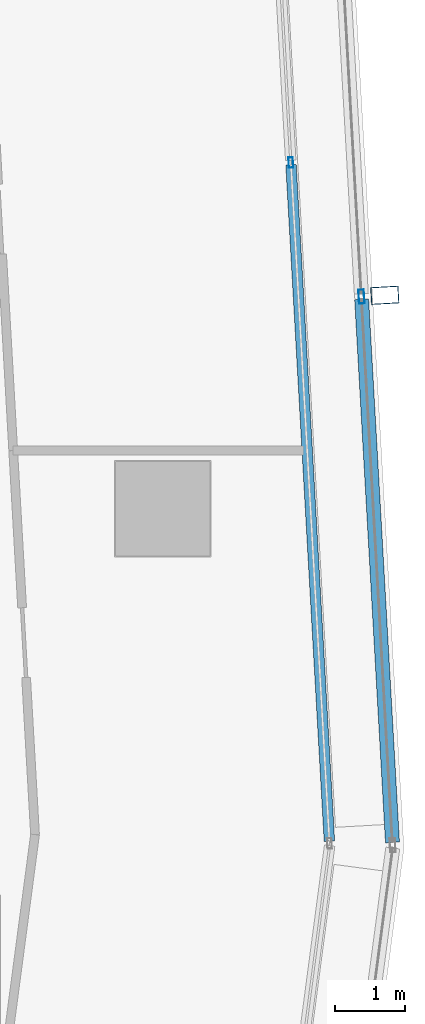
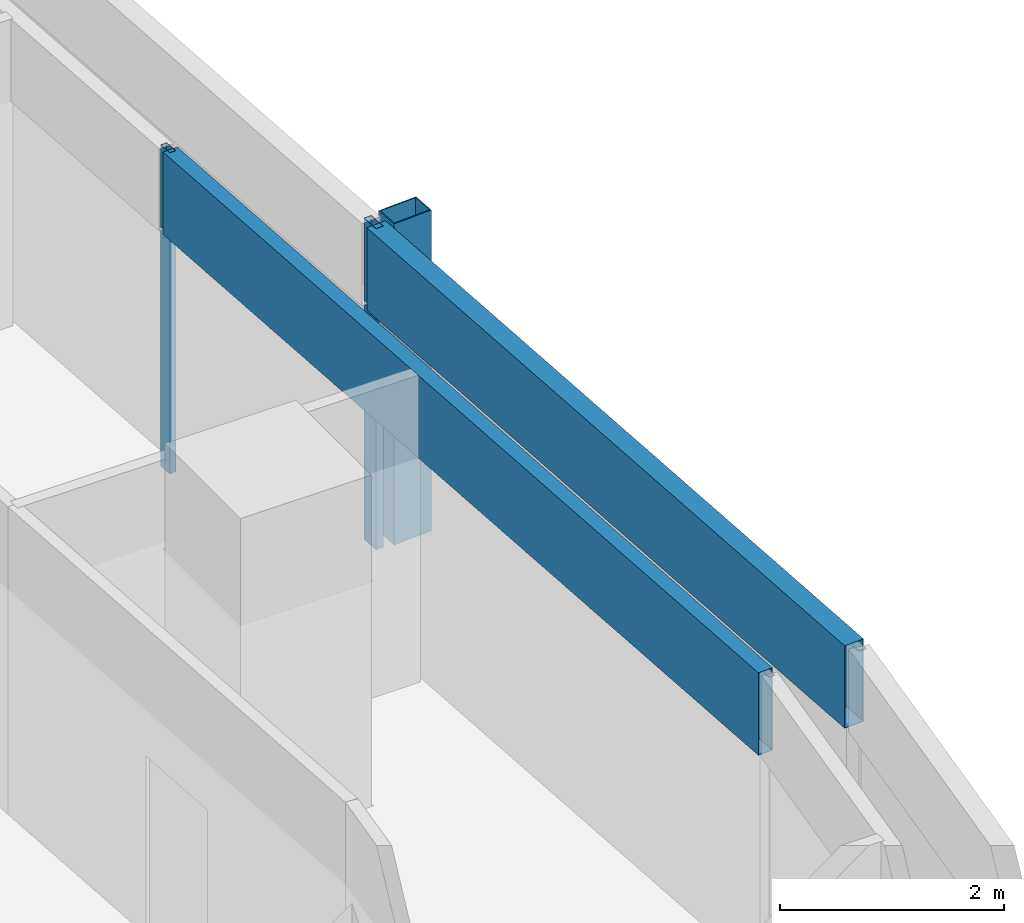
# One storey, part 14 of 38: 5 members, 2 elements without a shape of their own.
"""IFC4 building model written with IfcOpenShell, lengths in metres."""

from ifc_helpers import new_model, si_unit, direction, frame, origin, origin_2d, place, context, subcontext, project, spatial, hollow_rectangle, extrude, material, material_profile, profile_set, type_object, element, aggregate, save


model = new_model("IFC4")

# Units and contexts
model_context = context("Model", 3, precision=1e-05, world=origin(), true_north=direction((0.0, 1.0)))
body_context = subcontext(model_context, "Body", "Model", "MODEL_VIEW")
ifc_project = project(units=[si_unit("LENGTHUNIT", "METRE"), si_unit("AREAUNIT", "SQUARE_METRE"), si_unit("VOLUMEUNIT", "CUBIC_METRE"), si_unit("PLANEANGLEUNIT", "RADIAN"), si_unit("MASSUNIT", "GRAM", prefix="KILO")], contexts=[model_context])

# Site, building, storey
site_placement = place(None, origin())
site = spatial("IfcSite", under=ifc_project, at=site_placement, CompositionType="ELEMENT")
building_placement = place(site_placement, origin())
building = spatial("IfcBuilding", under=site, at=building_placement, Name="Rekha Terrace Tower", CompositionType="ELEMENT")
storey_placement = place(building_placement, frame((0.0, 0.0, 198.949951171875)))
storey = spatial("IfcBuildingStorey", under=building, at=storey_placement, Name="L50", CompositionType="ELEMENT", Elevation=198.949951171875)

# Curtain wall, member
ifc_material_1 = material(Name="Aluminium framing", Category="aluminium")
curtain_wall_type_1 = type_object("IfcCurtainWallType", Name="CW2 double skin outer glazing", PredefinedType="USERDEFINED", material=ifc_material_1)
curtain_wall_1_placement = place(storey_placement, origin())
curtain_wall_1 = element("IfcCurtainWall", 1, at=curtain_wall_1_placement, inside=storey, type_object=curtain_wall_type_1, Name="CW2 double skin outer glazing", ObjectType="DOUBLE SKIN OUTER GLAZING", PredefinedType="USERDEFINED")
ifc_material_2 = material(Name="Steel S355 with fluorocarbon finish", Category="steel")
ifc_material_profile_1 = material_profile(ifc_material_2, hollow_rectangle(XDim=0.25, YDim=0.39990234375, WallThickness=0.012451171875, at=origin_2d()), Name="RHS400x250x12.5")
ifc_profile_set_1 = profile_set([ifc_material_profile_1], Name="Steel S355 with fluorocarbon finish")
member_type_1 = type_object("IfcMemberType", Name="BL1 facade blade RHS 400 x 250", PredefinedType="USERDEFINED", material=ifc_profile_set_1)
member_1_placement = place(storey_placement, frame((61.975830078125, 36.65576171875, 0.0), z_axis=(0.0, 0.0, 1.0), x_axis=(-0.056673619809, 0.998392758797, 0.0)))
member_1 = element("IfcMember", 2, at=member_1_placement, type_object=member_type_1, Name="Facade blade", ObjectType="FACADE BLADE", PredefinedType="USERDEFINED", context=body_context, shape_type="SweptSolid", body=[
    extrude(hollow_rectangle(XDim=0.25, YDim=0.39990234375, WallThickness=0.012451171875, at=origin_2d()), origin(), (0.0, 0.0, 1.0), 3.5),
])

# Curtain wall, members
curtain_wall_type_2 = type_object("IfcCurtainWallType", Name="CW1 double skin inner glazing", PredefinedType="USERDEFINED", material=ifc_material_1)
curtain_wall_2_placement = place(storey_placement, origin())
curtain_wall_2 = element("IfcCurtainWall", 3, at=curtain_wall_2_placement, inside=storey, type_object=curtain_wall_type_2, Name="CW1 double skin inner glazing", ObjectType="DOUBLE SKIN INNER GLAZING", PredefinedType="USERDEFINED")
ifc_material_3 = material(Name="Aluminium mullion section", Category="aluminium")
ifc_material_profile_2 = material_profile(ifc_material_3, hollow_rectangle(XDim=0.06494140625, YDim=0.14990234375, WallThickness=0.00390625, at=origin_2d()), Name="AL RHS 65x150")
ifc_profile_set_2 = profile_set([ifc_material_profile_2], Name="Aluminium mullion section")
member_type_2 = type_object("IfcMemberType", Name="CW1 mullion RHS 65 x 150", PredefinedType="MULLION", material=ifc_profile_set_2)
member_2_placement = place(storey_placement, frame((60.631103515625, 38.555908203125, 0.0), z_axis=(0.0, 0.0, 1.0), x_axis=(-0.998392782919, -0.05667319486, 0.0)))
member_2 = element("IfcMember", 4, at=member_2_placement, type_object=member_type_2, Name="CW1 mullion 2", PredefinedType="MULLION", context=body_context, shape_type="SweptSolid", body=[
    extrude(hollow_rectangle(XDim=0.06494140625, YDim=0.14990234375, WallThickness=0.00390625, at=origin_2d()), origin(), (0.0, 0.0, 1.0), 3.5),
])
ifc_material_4 = material(Name="Insulated aluminium spandrel box", Category="aluminium")
ifc_material_profile_3 = material_profile(ifc_material_4, hollow_rectangle(XDim=0.14990234375, YDim=0.89990234375, WallThickness=0.0029296875, at=origin_2d()), Name="AL SPANDREL BOX 150x900")
ifc_profile_set_3 = profile_set([ifc_material_profile_3], Name="Insulated aluminium spandrel box")
member_type_3 = type_object("IfcMemberType", Name="CW1 spandrel transom 150 x 900", PredefinedType="USERDEFINED", material=ifc_profile_set_3)
member_3_placement = place(storey_placement, frame((61.182373046875, 28.8447265625, 3.050048828125), z_axis=(-0.056663932611, 0.998393308642, 0.0), x_axis=(-0.998393308642, -0.056663932611, 0.0)))
member_3 = element("IfcMember", 5, at=member_3_placement, type_object=member_type_3, Name="CW1 spandrel transom 1", ObjectType="TRANSOM", PredefinedType="USERDEFINED", context=body_context, shape_type="SweptSolid", body=[
    extrude(hollow_rectangle(XDim=0.14990234375, YDim=0.89990234375, WallThickness=0.0029296875, at=origin_2d()), origin(), (0.0, 0.0, 1.0), 9.6943359375),
])
aggregate(curtain_wall_2, [member_2, member_3])

# Member
ifc_material_profile_4 = material_profile(ifc_material_3, hollow_rectangle(XDim=0.080078125, YDim=0.199951171875, WallThickness=0.00390625, at=origin_2d()), Name="AL RHS 80x200")
ifc_profile_set_4 = profile_set([ifc_material_profile_4], Name="Aluminium mullion section")
member_type_4 = type_object("IfcMemberType", Name="CW2 mullion RHS 80 x 200", PredefinedType="MULLION", material=ifc_profile_set_4)
member_4_placement = place(storey_placement, frame((61.6416015625, 36.63671875, 0.0), z_axis=(0.0, 0.0, 1.0), x_axis=(-0.998392782919, -0.05667319486, 0.0)))
member_4 = element("IfcMember", 6, at=member_4_placement, type_object=member_type_4, Name="CW2 mullion 2", PredefinedType="MULLION", context=body_context, shape_type="SweptSolid", body=[
    extrude(hollow_rectangle(XDim=0.080078125, YDim=0.199951171875, WallThickness=0.00390625, at=origin_2d()), origin(), (0.0, 0.0, 1.0), 3.5),
])

ifc_material_profile_5 = material_profile(ifc_material_4, hollow_rectangle(XDim=0.199951171875, YDim=0.89990234375, WallThickness=0.0029296875, at=origin_2d()), Name="AL SPANDREL BOX 200x900")
ifc_profile_set_5 = profile_set([ifc_material_profile_5], Name="Insulated aluminium spandrel box")
member_type_5 = type_object("IfcMemberType", Name="CW2 spandrel transom 200 x 900", PredefinedType="USERDEFINED", material=ifc_profile_set_5)
member_5_placement = place(storey_placement, frame((62.0849609375, 28.825927734375, 3.050048828125), z_axis=(-0.05667908121, 0.998392448766, 0.0), x_axis=(-0.998392448766, -0.05667908121, 0.0)))
member_5 = element("IfcMember", 7, at=member_5_placement, type_object=member_type_5, Name="CW2 spandrel transom 1", ObjectType="TRANSOM", PredefinedType="USERDEFINED", context=body_context, shape_type="SweptSolid", body=[
    extrude(hollow_rectangle(XDim=0.199951171875, YDim=0.89990234375, WallThickness=0.0029296875, at=origin_2d()), origin(), (0.0, 0.0, 1.0), 7.783447265625),
])

aggregate(curtain_wall_1, [member_4, member_5, member_1])

save(model, "model.ifc")
